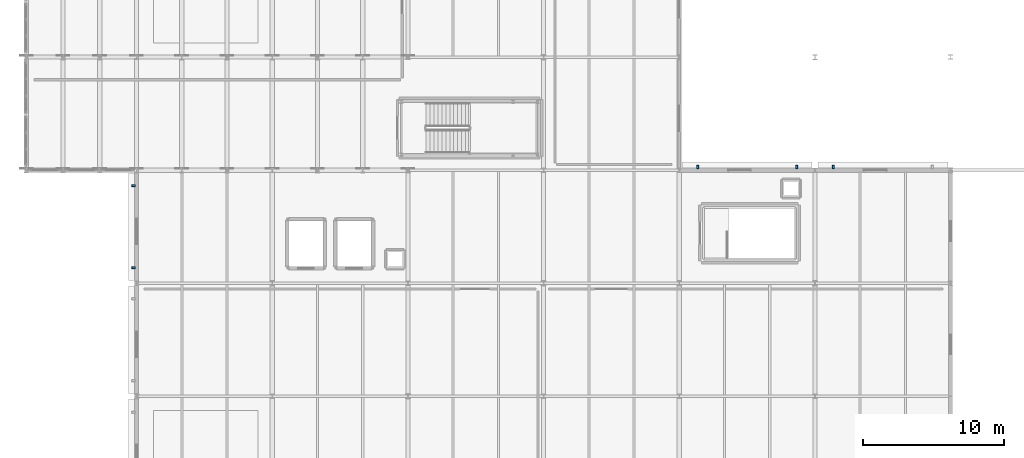
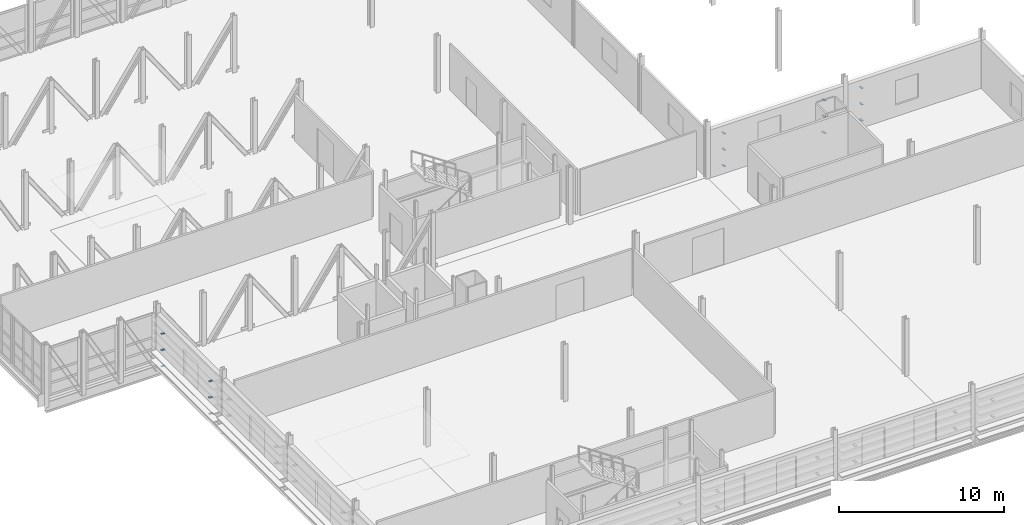
# One storey, part 56 of 73: 15 plates.
"""IFC4 building model written with IfcOpenShell, lengths in metres."""

from ifc_helpers import new_model, si_unit, direction, frame, origin, origin_2d, place, context, subcontext, project, spatial, rectangle, extrude, material, layer, layer_set, type_object, element, save


model = new_model("IFC4")

# Units and contexts
model_context = context("Model", 3, precision=1e-05, world=origin(), true_north=direction((0.0, 1.0)))
body_context = subcontext(model_context, "Body", "Model", "MODEL_VIEW")
ifc_project = project(units=[si_unit("LENGTHUNIT", "METRE"), si_unit("AREAUNIT", "SQUARE_METRE"), si_unit("VOLUMEUNIT", "CUBIC_METRE"), si_unit("PLANEANGLEUNIT", "RADIAN"), si_unit("MASSUNIT", "GRAM", prefix="KILO")], contexts=[model_context])

# Site, building, storey
site_placement = place(None, origin())
site = spatial("IfcSite", under=ifc_project, at=site_placement, CompositionType="ELEMENT")
building_placement = place(site_placement, origin())
building = spatial("IfcBuilding", under=site, at=building_placement, Name="Alderhovde Museum", CompositionType="ELEMENT")
storey_placement = place(building_placement, frame((0.0, 0.0, 12.89990234375)))
storey = spatial("IfcBuildingStorey", under=building, at=storey_placement, Name="L03", CompositionType="ELEMENT", Elevation=12.89990234375)

# Plates
ifc_material = material(Name="Steel S355J2", Category="steel")
ifc_layer = layer(ifc_material, 0.02001953125)
ifc_layer_set = layer_set([ifc_layer], Name="Steel S355J2")
plate_type = type_object("IfcPlateType", Name="LV-BRACKET", PredefinedType="USERDEFINED", material=ifc_layer_set)
for number, where, z_axis, x_axis, name in (
    (1, (9.3701171875, 73.112060546875, 0.2900390625), (0.0, 0.0, 1.0), (0.0, 1.0, 0.0), "L03 Louvre Support Bracket 145-1"),
    (2, (9.3701171875, 78.887939453125, 0.2900390625), (0.0, 0.0, 1.0), (0.0, 1.0, 0.0), "L03 Louvre Support Bracket 145-2"),
    (3, (9.3701171875, 73.112060546875, 1.489990234375), (0.0, 0.0, 1.0), (0.0, 1.0, 0.0), "L03 Louvre Support Bracket 147-1"),
    (4, (9.3701171875, 78.887939453125, 1.489990234375), (0.0, 0.0, 1.0), (0.0, 1.0, 0.0), "L03 Louvre Support Bracket 147-2"),
    (5, (9.3701171875, 73.112060546875, 2.690185546875), (0.0, 0.0, 1.0), (0.0, 1.0, 0.0), "L03 Louvre Support Bracket 149-1"),
    (6, (9.3701171875, 78.887939453125, 2.690185546875), (0.0, 0.0, 1.0), (0.0, 1.0, 0.0), "L03 Louvre Support Bracket 149-2"),
    (7, (49.303955078125, 80.22998046875, 0.2900390625), (0.0, 0.0, 1.0), (1.0, 0.0, 0.0), "L03 Louvre Support Bracket 187-1"),
    (8, (56.2958984375, 80.22998046875, 0.2900390625), (0.0, 0.0, 1.0), (1.0, 0.0, 0.0), "L03 Louvre Support Bracket 187-2"),
    (9, (49.303955078125, 80.22998046875, 1.489990234375), (0.0, 0.0, 1.0), (1.0, 0.0, 0.0), "L03 Louvre Support Bracket 189-1"),
    (10, (56.2958984375, 80.22998046875, 1.489990234375), (0.0, 0.0, 1.0), (1.0, 0.0, 0.0), "L03 Louvre Support Bracket 189-2"),
    (11, (49.303955078125, 80.22998046875, 2.690185546875), (0.0, 0.0, 1.0), (1.0, 0.0, 0.0), "L03 Louvre Support Bracket 191-1"),
    (12, (56.2958984375, 80.22998046875, 2.690185546875), (0.0, 0.0, 1.0), (1.0, 0.0, 0.0), "L03 Louvre Support Bracket 191-2"),
    (13, (58.904052734375, 80.22998046875, 0.2900390625), (0.0, 0.0, 1.0), (1.0, 0.0, 0.0), "L03 Louvre Support Bracket 193-1"),
    (14, (58.904052734375, 80.22998046875, 1.489990234375), (0.0, 0.0, 1.0), (1.0, 0.0, 0.0), "L03 Louvre Support Bracket 195-1"),
    (15, (58.904052734375, 80.22998046875, 2.690185546875), (0.0, 0.0, 1.0), (1.0, 0.0, 0.0), "L03 Louvre Support Bracket 197-1"),
):
    element("IfcPlate", number, at=place(storey_placement, frame(where, z_axis=z_axis, x_axis=x_axis)), inside=storey, type_object=plate_type, Name=name, ObjectType="BRACKET PLATE", PredefinedType="USERDEFINED", context=body_context, shape_type="SweptSolid", body=[
        extrude(rectangle(XDim=0.139892578125, YDim=0.260009765625, at=origin_2d()), origin(), (0.0, 0.0, 1.0), 0.02001953125),
    ])

save(model, "model.ifc")
